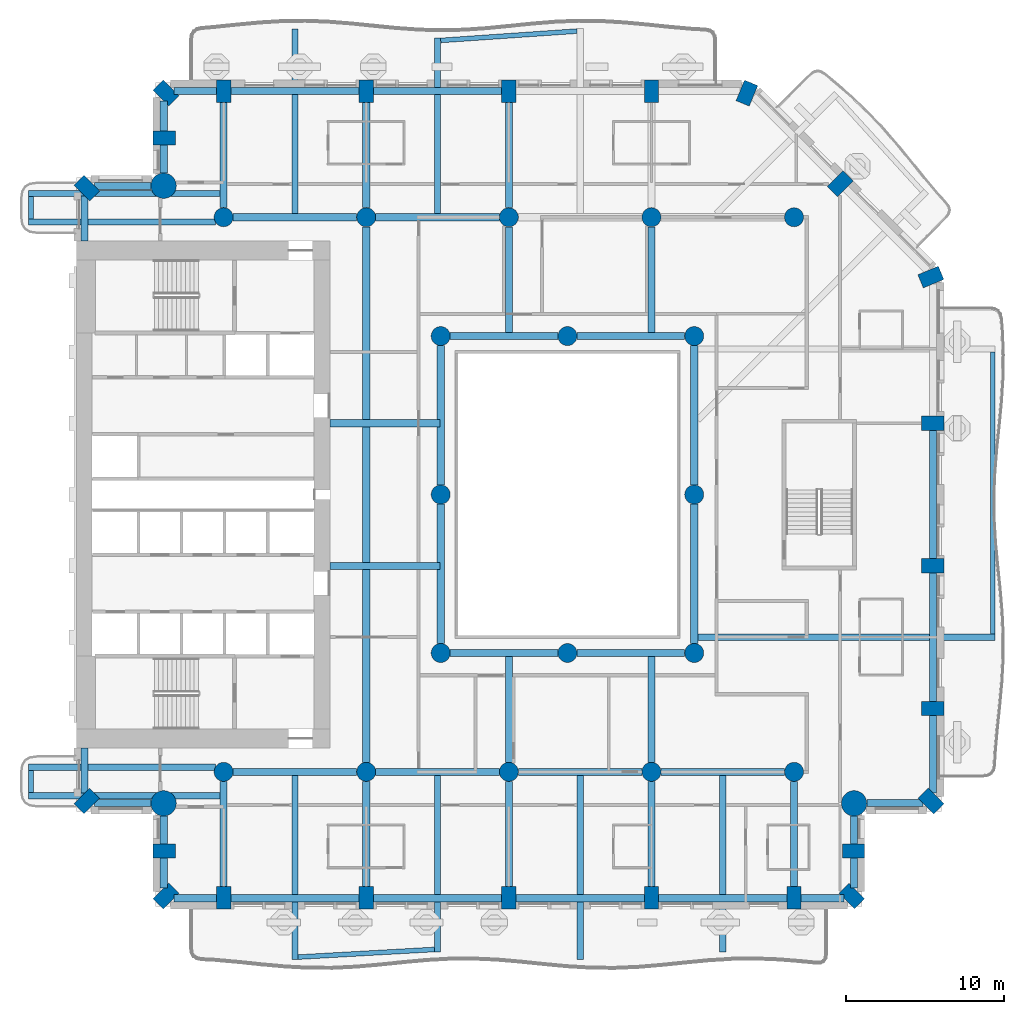
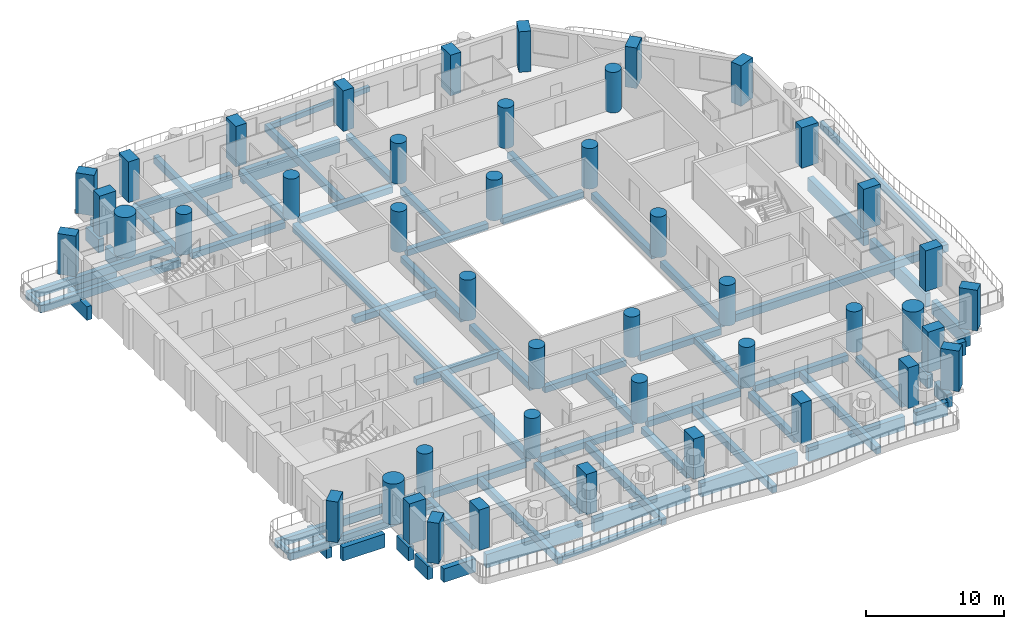
# One storey, part 1 of 19: 70 beams, 45 columns.
"""IFC4 building model written with IfcOpenShell, lengths in metres."""

from ifc_helpers import new_model, si_unit, direction, frame, origin, origin_2d, place, context, subcontext, project, spatial, rectangle, circle, extrude, material, material_profile, profile_set, type_object, element, save


model = new_model("IFC4")

# Units and contexts
model_context = context("Model", 3, precision=1e-05, world=origin(), true_north=direction((0.0, 1.0)))
body_context = subcontext(model_context, "Body", "Model", "MODEL_VIEW")
ifc_project = project(units=[si_unit("LENGTHUNIT", "METRE"), si_unit("AREAUNIT", "SQUARE_METRE"), si_unit("VOLUMEUNIT", "CUBIC_METRE"), si_unit("PLANEANGLEUNIT", "RADIAN"), si_unit("MASSUNIT", "GRAM", prefix="KILO")], contexts=[model_context])

# Site, building, storey
site_placement = place(None, origin())
site = spatial("IfcSite", under=ifc_project, at=site_placement, CompositionType="ELEMENT")
building_placement = place(site_placement, origin())
building = spatial("IfcBuilding", under=site, at=building_placement, Name="Cypress Arch Tower", CompositionType="ELEMENT")
storey_placement = place(building_placement, frame((0.0, 0.0, 66.300048828125)))
storey = spatial("IfcBuildingStorey", under=building, at=storey_placement, Name="L10", CompositionType="ELEMENT", Elevation=66.300048828125)

# Columns
ifc_material_1 = material(Name="Concrete C80/95", Category="concrete")
ifc_material_profile_1 = material_profile(ifc_material_1, rectangle(XDim=0.89990234375, YDim=1.39990234375, at=origin_2d()), Name="RC 900x1400")
ifc_profile_set_1 = profile_set([ifc_material_profile_1], Name="Concrete C80/95")
column_type_1 = type_object("IfcColumnType", Name="Column RC 900x1400 Concrete C80/95", PredefinedType="COLUMN", material=ifc_profile_set_1)
for number, where, z_axis, x_axis, name in (
    (1, (-29.3369140625, 19.3369140625, 0.0), (0.0, 0.0, 1.0), (-0.707106781187, -0.707106781187, 0.0), "Column L10 CA00"),
    (2, (-29.3369140625, -19.3369140625, 0.0), (0.0, 0.0, 1.0), (0.707106781187, -0.707106781187, 0.0), "Column L10 CA01"),
    (3, (-24.449951171875, -22.5, 0.0), (0.0, 0.0, 1.0), (0.0, -1.0, 0.0), "Column L10 CA03"),
    (4, (-24.3369140625, -25.3369140625, 0.0), (0.0, 0.0, 1.0), (0.707106781187, -0.707106781187, 0.0), "Column L10 CA04"),
    (5, (-20.699951171875, -25.449951171875, 0.0), (0.0, 0.0, 1.0), (1.0, 0.0, 0.0), "Column L10 CA05"),
    (6, (-11.699951171875, -25.449951171875, 0.0), (0.0, 0.0, 1.0), (1.0, 0.0, 0.0), "Column L10 CA06"),
    (7, (-2.699951171875, -25.449951171875, 0.0), (0.0, 0.0, 1.0), (1.0, 0.0, 0.0), "Column L10 CA07"),
    (8, (6.300048828125, -25.449951171875, 0.0), (0.0, 0.0, 1.0), (1.0, 0.0, 0.0), "Column L10 CA08"),
    (9, (15.300048828125, -25.449951171875, 0.0), (0.0, 0.0, 1.0), (1.0, 0.0, 0.0), "Column L10 CA09"),
    (10, (18.936767578125, -25.3369140625, 0.0), (0.0, 0.0, 1.0), (0.707106781187, 0.707106781187, 0.0), "Column L10 CA10"),
    (11, (19.050048828125, -22.5, 0.0), (0.0, 0.0, 1.0), (0.0, 1.0, 0.0), "Column L10 CA11"),
    (12, (23.936767578125, -19.3369140625, 0.0), (0.0, 0.0, 1.0), (0.707106781187, 0.707106781187, 0.0), "Column L10 CA13"),
    (13, (24.050048828125, -13.5, 0.0), (0.0, 0.0, 1.0), (0.0, 1.0, 0.0), "Column L10 CA14"),
    (14, (24.050048828125, -4.5, 0.0), (0.0, 0.0, 1.0), (0.0, 1.0, 0.0), "Column L10 CA15"),
    (15, (24.050048828125, 4.5, 0.0), (0.0, 0.0, 1.0), (0.0, 1.0, 0.0), "Column L10 CA16"),
    (16, (23.93115234375, 13.722900390625, 0.0), (0.0, 0.0, 1.0), (-0.382683496864, 0.923879505795, 0.0), "Column L10 CA17"),
    (17, (18.211181640625, 19.611083984375, 0.0), (0.0, 0.0, 1.0), (-0.707106781187, 0.707106781187, 0.0), "Column L10 CA18"),
    (18, (12.322998046875, 25.3310546875, 0.0), (0.0, 0.0, 1.0), (-0.923879505795, 0.382683496864, 0.0), "Column L10 CA19"),
    (19, (6.300048828125, 25.449951171875, 0.0), (0.0, 0.0, 1.0), (-1.0, 0.0, 0.0), "Column L10 CA20"),
    (20, (-2.699951171875, 25.449951171875, 0.0), (0.0, 0.0, 1.0), (-1.0, 0.0, 0.0), "Column L10 CA21"),
    (21, (-11.699951171875, 25.449951171875, 0.0), (0.0, 0.0, 1.0), (-1.0, 0.0, 0.0), "Column L10 CA22"),
    (22, (-20.699951171875, 25.449951171875, 0.0), (0.0, 0.0, 1.0), (-1.0, 0.0, 0.0), "Column L10 CA23"),
    (23, (-24.3369140625, 25.3369140625, 0.0), (0.0, 0.0, 1.0), (-0.707106781187, -0.707106781187, 0.0), "Column L10 CA24"),
    (24, (-24.449951171875, 22.5, 0.0), (0.0, 0.0, 1.0), (0.0, -1.0, 0.0), "Column L10 CA25"),
):
    element("IfcColumn", number, at=place(storey_placement, frame(where, z_axis=z_axis, x_axis=x_axis)), inside=storey, type_object=column_type_1, Name=name, PredefinedType="COLUMN", context=body_context, shape_type="SweptSolid", body=[
        extrude(rectangle(XDim=0.89990234375, YDim=1.39990234375, at=origin_2d()), origin(), (0.0, 0.0, 1.0), 3.599853515625),
    ])
ifc_material_2 = material(Name="Concrete C80/95", Category="concrete")
ifc_material_profile_2 = material_profile(ifc_material_2, circle(Radius=0.60009765625, at=origin_2d()), Name="RC D1200")
ifc_profile_set_2 = profile_set([ifc_material_profile_2], Name="Concrete C80/95")
column_type_2 = type_object("IfcColumnType", Name="Column RC D1200 Concrete C80/95", PredefinedType="COLUMN", material=ifc_profile_set_2)
for number, where, z_axis, x_axis, name in (
    (25, (-20.699951171875, -17.5, 0.0), (0.0, 0.0, 1.0), (1.0, 0.0, 0.0), "Column L10 CIC-L10-CI3S"),
    (26, (-11.699951171875, -17.5, 0.0), (0.0, 0.0, 1.0), (1.0, 0.0, 0.0), "Column L10 CIC-L10-CI4S"),
    (27, (-2.699951171875, -17.5, 0.0), (0.0, 0.0, 1.0), (1.0, 0.0, 0.0), "Column L10 CIC-L10-CI5S"),
    (28, (6.300048828125, -17.5, 0.0), (0.0, 0.0, 1.0), (1.0, 0.0, 0.0), "Column L10 CIC-L10-CI6S"),
    (29, (15.300048828125, -17.5, 0.0), (0.0, 0.0, 1.0), (1.0, 0.0, 0.0), "Column L10 CIC-L10-CI7S"),
    (30, (-20.699951171875, 17.5, 0.0), (0.0, 0.0, 1.0), (1.0, 0.0, 0.0), "Column L10 CIC-L10-CI3N"),
    (31, (-11.699951171875, 17.5, 0.0), (0.0, 0.0, 1.0), (1.0, 0.0, 0.0), "Column L10 CIC-L10-CI4N"),
    (32, (-2.699951171875, 17.5, 0.0), (0.0, 0.0, 1.0), (1.0, 0.0, 0.0), "Column L10 CIC-L10-CI5N"),
    (33, (6.300048828125, 17.5, 0.0), (0.0, 0.0, 1.0), (1.0, 0.0, 0.0), "Column L10 CIC-L10-CI6N"),
    (34, (15.300048828125, 17.5, 0.0), (0.0, 0.0, 1.0), (1.0, 0.0, 0.0), "Column L10 CIC-L10-CI7N"),
    (35, (-7.0, -10.0, 0.0), (0.0, 0.0, 1.0), (1.0, 0.0, 0.0), "Column L10 RNG-L10-G-7-10"),
    (36, (-7.0, 0.0, 0.0), (0.0, 0.0, 1.0), (1.0, 0.0, 0.0), "Column L10 RNG-L10-G-7+0"),
    (37, (-7.0, 10.0, 0.0), (0.0, 0.0, 1.0), (1.0, 0.0, 0.0), "Column L10 RNG-L10-G-7+10"),
    (38, (1.0, -10.0, 0.0), (0.0, 0.0, 1.0), (1.0, 0.0, 0.0), "Column L10 RNG-L10-G+1-10"),
    (39, (1.0, 10.0, 0.0), (0.0, 0.0, 1.0), (1.0, 0.0, 0.0), "Column L10 RNG-L10-G+1+10"),
    (40, (9.0, -10.0, 0.0), (0.0, 0.0, 1.0), (1.0, 0.0, 0.0), "Column L10 RNG-L10-G+9-10"),
    (41, (9.0, 0.0, 0.0), (0.0, 0.0, 1.0), (1.0, 0.0, 0.0), "Column L10 RNG-L10-G+9+0"),
    (42, (9.0, 10.0, 0.0), (0.0, 0.0, 1.0), (1.0, 0.0, 0.0), "Column L10 RNG-L10-G+9+10"),
):
    element("IfcColumn", number, at=place(storey_placement, frame(where, z_axis=z_axis, x_axis=x_axis)), inside=storey, type_object=column_type_2, Name=name, PredefinedType="COLUMN", context=body_context, shape_type="SweptSolid", body=[
        extrude(circle(Radius=0.60009765625, at=origin_2d()), origin(), (0.0, 0.0, 1.0), 3.599853515625),
    ])
ifc_material_3 = material(Name="Concrete C80/95", Category="concrete")
ifc_material_profile_3 = material_profile(ifc_material_3, circle(Radius=0.800048828125, at=origin_2d()), Name="RC D1600")
ifc_profile_set_3 = profile_set([ifc_material_profile_3], Name="Concrete C80/95")
column_type_3 = type_object("IfcColumnType", Name="Mega-column RC D1600 Concrete C80/95", PredefinedType="COLUMN", material=ifc_profile_set_3)
for number, where, z_axis, x_axis, name in (
    (43, (-24.48779296875, -19.48779296875, 0.0), (0.0, 0.0, 1.0), (1.0, 0.0, 0.0), "Column L10 CA02"),
    (44, (19.087890625, -19.48779296875, 0.0), (0.0, 0.0, 1.0), (1.0, 0.0, 0.0), "Column L10 CA12"),
    (45, (-24.48779296875, 19.48779296875, 0.0), (0.0, 0.0, 1.0), (1.0, 0.0, 0.0), "Column L10 CA26"),
):
    element("IfcColumn", number, at=place(storey_placement, frame(where, z_axis=z_axis, x_axis=x_axis)), inside=storey, type_object=column_type_3, Name=name, PredefinedType="COLUMN", context=body_context, shape_type="SweptSolid", body=[
        extrude(circle(Radius=0.800048828125, at=origin_2d()), origin(), (0.0, 0.0, 1.0), 3.599853515625),
    ])

# Beams
ifc_material_4 = material(Name="Concrete C50/60", Category="concrete")
ifc_material_profile_4 = material_profile(ifc_material_4, rectangle(XDim=0.300048828125, YDim=0.449951171875, at=origin_2d()), Name="RC 300x450")
ifc_profile_set_4 = profile_set([ifc_material_profile_4], Name="Concrete C50/60")
beam_type_1 = type_object("IfcBeamType", Name="Balcony edge beam RC 300x450 Concrete C50/60", PredefinedType="BEAM", material=ifc_profile_set_4)
beam_1_placement = place(storey_placement, frame((-16.0, -29.1904296875, -0.525146484375), z_axis=(0.998441457852, 0.055809096421, 0.0), x_axis=(-0.055809096421, 0.998441457852, 0.0)))
element("IfcBeam", 46, at=beam_1_placement, inside=storey, type_object=beam_type_1, Name="Balcony edge beam L10 A03", PredefinedType="BEAM", context=body_context, shape_type="SweptSolid", body=[
    extrude(rectangle(XDim=0.300048828125, YDim=0.449951171875, at=origin_2d()), origin(), (0.0, 0.0, 1.0), 8.613525390625),
])
beam_2_placement = place(storey_placement, frame((1.60009765625, 29.246337890625, -0.525146484375), z_axis=(-0.997663993213, -0.068312199842, 0.0), x_axis=(0.068312199842, -0.997663993213, 0.0)))
element("IfcBeam", 47, at=beam_2_placement, inside=storey, type_object=beam_type_1, Name="Balcony edge beam L10 A08", PredefinedType="BEAM", context=body_context, shape_type="SweptSolid", body=[
    extrude(rectangle(XDim=0.300048828125, YDim=0.449951171875, at=origin_2d()), origin(), (0.0, 0.0, 1.0), 8.6201171875),
])
ifc_material_5 = material(Name="Concrete C50/60", Category="concrete")
ifc_material_profile_5 = material_profile(ifc_material_5, rectangle(XDim=0.300048828125, YDim=0.64990234375, at=origin_2d()), Name="RC 300x650")
ifc_profile_set_5 = profile_set([ifc_material_profile_5], Name="Concrete C50/60")
beam_type_2 = type_object("IfcBeamType", Name="Balcony edge beam RC 300x650 Concrete C50/60", PredefinedType="BEAM", material=ifc_profile_set_5)
beam_3_placement = place(storey_placement, frame((27.843017578125, -8.800048828125, -0.625), z_axis=(-0.000494104992, 0.99999987793, 0.0), x_axis=(-0.99999987793, -0.000494104992, 0.0)))
element("IfcBeam", 48, at=beam_3_placement, inside=storey, type_object=beam_type_2, Name="Balcony edge beam L10 A06", PredefinedType="BEAM", context=body_context, shape_type="SweptSolid", body=[
    extrude(rectangle(XDim=0.300048828125, YDim=0.64990234375, at=origin_2d()), origin(), (0.0, 0.0, 1.0), 17.787841796875),
])
ifc_material_6 = material(Name="Concrete C50/60", Category="concrete")
ifc_material_profile_6 = material_profile(ifc_material_6, rectangle(XDim=0.300048828125, YDim=0.39990234375, at=origin_2d()), Name="RC 300x400")
ifc_profile_set_6 = profile_set([ifc_material_profile_6], Name="Concrete C50/60")
beam_type_3 = type_object("IfcBeamType", Name="Balcony stub beam RC 300x400 Concrete C50/60", PredefinedType="BEAM", material=ifc_profile_set_6)
for number, where, z_axis, x_axis, name in (
    (49, (-32.85009765625, 18.800048828125, -0.5), (0.0, -1.0, 0.0), (1.0, 0.0, 0.0), "Balcony stub beam L10 A00W0"),
    (50, (-32.85009765625, -17.39990234375, -0.5), (0.0, -1.0, 0.0), (1.0, 0.0, 0.0), "Balcony stub beam L10 A00W1"),
):
    element("IfcBeam", number, at=place(storey_placement, frame(where, z_axis=z_axis, x_axis=x_axis)), inside=storey, type_object=beam_type_3, Name=name, PredefinedType="BEAM", context=body_context, shape_type="SweptSolid", body=[
        extrude(rectangle(XDim=0.300048828125, YDim=0.39990234375, at=origin_2d()), origin(), (0.0, 0.0, 1.0), 1.400146484375),
    ])
ifc_material_7 = material(Name="Concrete C50/60", Category="concrete")
ifc_material_profile_7 = material_profile(ifc_material_7, rectangle(XDim=0.39990234375, YDim=0.64990234375, at=origin_2d()), Name="RC 400x650")
ifc_profile_set_7 = profile_set([ifc_material_profile_7], Name="Concrete C50/60")
beam_type_4 = type_object("IfcBeamType", Name="Cantilever beam RC 400x650 Concrete C50/60", PredefinedType="BEAM", material=ifc_profile_set_7)
beam_4_placement = place(storey_placement, frame((-20.925048828125, 19.0, -0.625), z_axis=(-1.0, 0.0, 0.0), x_axis=(0.0, -1.0, 0.0)))
element("IfcBeam", 51, at=beam_4_placement, inside=storey, type_object=beam_type_4, Name="Cantilever beam L10 A00 1", PredefinedType="BEAM", context=body_context, shape_type="SweptSolid", body=[
    extrude(rectangle(XDim=0.39990234375, YDim=0.64990234375, at=origin_2d()), origin(), (0.0, 0.0, 1.0), 12.074951171875),
])
for number, where, z_axis, x_axis, name in (
    (52, (-21.219482421875, 17.199951171875, -0.625), (-1.0, 0.0, 0.0), (0.0, -1.0, 0.0), "Cantilever beam L10 A00 2"),
    (53, (-21.219482421875, -17.199951171875, -0.625), (-1.0, 0.0, 0.0), (0.0, -1.0, 0.0), "Cantilever beam L10 A00 1"),
):
    element("IfcBeam", number, at=place(storey_placement, frame(where, z_axis=z_axis, x_axis=x_axis)), inside=storey, type_object=beam_type_4, Name=name, PredefinedType="BEAM", context=body_context, shape_type="SweptSolid", body=[
        extrude(rectangle(XDim=0.39990234375, YDim=0.64990234375, at=origin_2d()), origin(), (0.0, 0.0, 1.0), 11.780517578125),
    ])
beam_5_placement = place(storey_placement, frame((-20.925048828125, -19.0, -0.625), z_axis=(-1.0, 0.0, 0.0), x_axis=(0.0, -1.0, 0.0)))
element("IfcBeam", 54, at=beam_5_placement, inside=storey, type_object=beam_type_4, Name="Cantilever beam L10 A00 2", PredefinedType="BEAM", context=body_context, shape_type="SweptSolid", body=[
    extrude(rectangle(XDim=0.39990234375, YDim=0.64990234375, at=origin_2d()), origin(), (0.0, 0.0, 1.0), 12.074951171875),
])
beam_6_placement = place(storey_placement, frame((-16.199951171875, -17.72509765625, -0.625), z_axis=(0.0, -1.0, 0.0), x_axis=(1.0, 0.0, 0.0)))
element("IfcBeam", 55, at=beam_6_placement, inside=storey, type_object=beam_type_4, Name="Cantilever beam L10 A03 1", PredefinedType="BEAM", context=body_context, shape_type="SweptSolid", body=[
    extrude(rectangle(XDim=0.39990234375, YDim=0.64990234375, at=origin_2d()), origin(), (0.0, 0.0, 1.0), 11.615478515625),
])
beam_7_placement = place(storey_placement, frame((-7.199951171875, -17.72509765625, -0.625), z_axis=(0.0, -1.0, 0.0), x_axis=(1.0, 0.0, 0.0)))
element("IfcBeam", 56, at=beam_7_placement, inside=storey, type_object=beam_type_4, Name="Cantilever beam L10 A03 2", PredefinedType="BEAM", context=body_context, shape_type="SweptSolid", body=[
    extrude(rectangle(XDim=0.39990234375, YDim=0.64990234375, at=origin_2d()), origin(), (0.0, 0.0, 1.0), 11.134521484375),
])
beam_8_placement = place(storey_placement, frame((1.800048828125, -17.72509765625, -0.625), z_axis=(0.0, -1.0, 0.0), x_axis=(1.0, 0.0, 0.0)))
element("IfcBeam", 57, at=beam_8_placement, inside=storey, type_object=beam_type_4, Name="Cantilever beam L10 A03 3", PredefinedType="BEAM", context=body_context, shape_type="SweptSolid", body=[
    extrude(rectangle(XDim=0.39990234375, YDim=0.64990234375, at=origin_2d()), origin(), (0.0, 0.0, 1.0), 11.615478515625),
])
beam_9_placement = place(storey_placement, frame((10.800048828125, -17.72509765625, -0.625), z_axis=(0.0, -1.0, 0.0), x_axis=(1.0, 0.0, 0.0)))
element("IfcBeam", 58, at=beam_9_placement, inside=storey, type_object=beam_type_4, Name="Cantilever beam L10 A03 4", PredefinedType="BEAM", context=body_context, shape_type="SweptSolid", body=[
    extrude(rectangle(XDim=0.39990234375, YDim=0.64990234375, at=origin_2d()), origin(), (0.0, 0.0, 1.0), 11.134033203125),
])
beam_10_placement = place(storey_placement, frame((9.22509765625, -9.0, -0.625), z_axis=(1.0, 0.0, 0.0), x_axis=(0.0, 1.0, 0.0)))
element("IfcBeam", 59, at=beam_10_placement, inside=storey, type_object=beam_type_4, Name="Cantilever beam L10 A06 1", PredefinedType="BEAM", context=body_context, shape_type="SweptSolid", body=[
    extrude(rectangle(XDim=0.39990234375, YDim=0.64990234375, at=origin_2d()), origin(), (0.0, 0.0, 1.0), 18.767822265625),
])
beam_11_placement = place(storey_placement, frame((-7.199951171875, 17.72509765625, -0.625), z_axis=(0.0, 1.0, 0.0), x_axis=(-1.0, 0.0, 0.0)))
element("IfcBeam", 60, at=beam_11_placement, inside=storey, type_object=beam_type_4, Name="Cantilever beam L10 A08 2", PredefinedType="BEAM", context=body_context, shape_type="SweptSolid", body=[
    extrude(rectangle(XDim=0.39990234375, YDim=0.64990234375, at=origin_2d()), origin(), (0.0, 0.0, 1.0), 11.082275390625),
])
beam_12_placement = place(storey_placement, frame((-16.199951171875, 17.72509765625, -0.625), z_axis=(0.0, 1.0, 0.0), x_axis=(-1.0, 0.0, 0.0)))
element("IfcBeam", 61, at=beam_12_placement, inside=storey, type_object=beam_type_4, Name="Cantilever beam L10 A08 3", PredefinedType="BEAM", context=body_context, shape_type="SweptSolid", body=[
    extrude(rectangle(XDim=0.39990234375, YDim=0.64990234375, at=origin_2d()), origin(), (0.0, 0.0, 1.0), 11.6640625),
])
ifc_material_8 = material(Name="Concrete C50/60", Category="concrete")
ifc_material_profile_8 = material_profile(ifc_material_8, rectangle(XDim=0.449951171875, YDim=0.550048828125, at=origin_2d()), Name="RC 450x550")
ifc_profile_set_8 = profile_set([ifc_material_profile_8], Name="Concrete C50/60")
beam_type_5 = type_object("IfcBeamType", Name="Floor beam RC 450x550 Concrete C50/60", PredefinedType="BEAM", material=ifc_profile_set_8)
for number, where, z_axis, x_axis, name in (
    (62, (-7.0, -9.39990234375, -0.574951171875), (0.0, 1.0, 0.0), (-1.0, 0.0, 0.0), "Floor beam L10 RB001"),
    (63, (-7.0, 0.60009765625, -0.574951171875), (0.0, 1.0, 0.0), (-1.0, 0.0, 0.0), "Floor beam L10 RB002"),
    (64, (9.0, -9.39990234375, -0.574951171875), (0.0, 1.0, 0.0), (-1.0, 0.0, 0.0), "Floor beam L10 RB003"),
    (65, (9.0, 0.60009765625, -0.574951171875), (0.0, 1.0, 0.0), (-1.0, 0.0, 0.0), "Floor beam L10 RB004"),
):
    element("IfcBeam", number, at=place(storey_placement, frame(where, z_axis=z_axis, x_axis=x_axis)), inside=storey, type_object=beam_type_5, Name=name, PredefinedType="BEAM", context=body_context, shape_type="SweptSolid", body=[
        extrude(rectangle(XDim=0.449951171875, YDim=0.550048828125, at=origin_2d()), origin(), (0.0, 0.0, 1.0), 8.7998046875),
    ])
for number, where, z_axis, x_axis, name in (
    (66, (-6.39990234375, -10.0, -0.574951171875), (1.0, 0.0, 0.0), (0.0, 1.0, 0.0), "Floor beam L10 RB005"),
    (67, (1.60009765625, -10.0, -0.574951171875), (1.0, 0.0, 0.0), (0.0, 1.0, 0.0), "Floor beam L10 RB006"),
    (68, (-6.39990234375, 10.0, -0.574951171875), (1.0, 0.0, 0.0), (0.0, 1.0, 0.0), "Floor beam L10 RB007"),
    (69, (1.60009765625, 10.0, -0.574951171875), (1.0, 0.0, 0.0), (0.0, 1.0, 0.0), "Floor beam L10 RB008"),
):
    element("IfcBeam", number, at=place(storey_placement, frame(where, z_axis=z_axis, x_axis=x_axis)), inside=storey, type_object=beam_type_5, Name=name, PredefinedType="BEAM", context=body_context, shape_type="SweptSolid", body=[
        extrude(rectangle(XDim=0.449951171875, YDim=0.550048828125, at=origin_2d()), origin(), (0.0, 0.0, 1.0), 6.7998046875),
    ])
for number, where, z_axis, x_axis, name in (
    (70, (-20.10009765625, -17.5, -0.574951171875), (1.0, 0.0, 0.0), (0.0, 1.0, 0.0), "Floor beam L10 FB009"),
    (71, (-11.10009765625, -17.5, -0.574951171875), (1.0, 0.0, 0.0), (0.0, 1.0, 0.0), "Floor beam L10 FB010"),
    (72, (-2.10009765625, -17.5, -0.574951171875), (1.0, 0.0, 0.0), (0.0, 1.0, 0.0), "Floor beam L10 FB011"),
    (73, (6.89990234375, -17.5, -0.574951171875), (1.0, 0.0, 0.0), (0.0, 1.0, 0.0), "Floor beam L10 FB012"),
):
    element("IfcBeam", number, at=place(storey_placement, frame(where, z_axis=z_axis, x_axis=x_axis)), inside=storey, type_object=beam_type_5, Name=name, PredefinedType="BEAM", context=body_context, shape_type="SweptSolid", body=[
        extrude(rectangle(XDim=0.449951171875, YDim=0.550048828125, at=origin_2d()), origin(), (0.0, 0.0, 1.0), 7.800048828125),
    ])
for number, where, z_axis, x_axis, name in (
    (74, (-14.0, -4.5, -0.574951171875), (1.0, 0.0, 0.0), (0.0, 1.0, 0.0), "Floor beam L10 FB013"),
    (75, (-14.0, 4.5, -0.574951171875), (1.0, 0.0, 0.0), (0.0, 1.0, 0.0), "Floor beam L10 FB014"),
):
    element("IfcBeam", number, at=place(storey_placement, frame(where, z_axis=z_axis, x_axis=x_axis)), inside=storey, type_object=beam_type_5, Name=name, PredefinedType="BEAM", context=body_context, shape_type="SweptSolid", body=[
        extrude(rectangle(XDim=0.449951171875, YDim=0.550048828125, at=origin_2d()), origin(), (0.0, 0.0, 1.0), 6.949951171875),
    ])
for number, where, z_axis, x_axis, name in (
    (76, (-20.10009765625, 17.5, -0.574951171875), (1.0, 0.0, 0.0), (0.0, 1.0, 0.0), "Floor beam L10 FB015"),
    (77, (-11.10009765625, 17.5, -0.574951171875), (1.0, 0.0, 0.0), (0.0, 1.0, 0.0), "Floor beam L10 FB016"),
):
    element("IfcBeam", number, at=place(storey_placement, frame(where, z_axis=z_axis, x_axis=x_axis)), inside=storey, type_object=beam_type_5, Name=name, PredefinedType="BEAM", context=body_context, shape_type="SweptSolid", body=[
        extrude(rectangle(XDim=0.449951171875, YDim=0.550048828125, at=origin_2d()), origin(), (0.0, 0.0, 1.0), 7.800048828125),
    ])
for number, where, z_axis, x_axis, name in (
    (78, (-20.699951171875, -24.75, -0.574951171875), (0.0, 1.0, 0.0), (-1.0, 0.0, 0.0), "Floor beam L10 FB019"),
    (79, (-20.699951171875, 18.10009765625, -0.574951171875), (0.0, 1.0, 0.0), (-1.0, 0.0, 0.0), "Floor beam L10 FB020"),
    (80, (-11.699951171875, -24.75, -0.574951171875), (0.0, 1.0, 0.0), (-1.0, 0.0, 0.0), "Floor beam L10 FB021"),
):
    element("IfcBeam", number, at=place(storey_placement, frame(where, z_axis=z_axis, x_axis=x_axis)), inside=storey, type_object=beam_type_5, Name=name, PredefinedType="BEAM", context=body_context, shape_type="SweptSolid", body=[
        extrude(rectangle(XDim=0.449951171875, YDim=0.550048828125, at=origin_2d()), origin(), (0.0, 0.0, 1.0), 6.64990234375),
    ])
beam_13_placement = place(storey_placement, frame((-11.699951171875, -4.27490234375, -0.574951171875), z_axis=(0.0, 1.0, 0.0), x_axis=(-1.0, 0.0, 0.0)))
element("IfcBeam", 81, at=beam_13_placement, inside=storey, type_object=beam_type_5, Name="Floor beam L10 FB023", PredefinedType="BEAM", context=body_context, shape_type="SweptSolid", body=[
    extrude(rectangle(XDim=0.449951171875, YDim=0.550048828125, at=origin_2d()), origin(), (0.0, 0.0, 1.0), 8.5498046875),
])
for number, where, z_axis, x_axis, name in (
    (82, (-11.699951171875, 18.10009765625, -0.574951171875), (0.0, 1.0, 0.0), (-1.0, 0.0, 0.0), "Floor beam L10 FB025"),
    (83, (-2.699951171875, -24.75, -0.574951171875), (0.0, 1.0, 0.0), (-1.0, 0.0, 0.0), "Floor beam L10 FB026"),
):
    element("IfcBeam", number, at=place(storey_placement, frame(where, z_axis=z_axis, x_axis=x_axis)), inside=storey, type_object=beam_type_5, Name=name, PredefinedType="BEAM", context=body_context, shape_type="SweptSolid", body=[
        extrude(rectangle(XDim=0.449951171875, YDim=0.550048828125, at=origin_2d()), origin(), (0.0, 0.0, 1.0), 6.64990234375),
    ])
for number, where, z_axis, x_axis, name in (
    (84, (-2.699951171875, -16.89990234375, -0.574951171875), (0.0, 1.0, 0.0), (-1.0, 0.0, 0.0), "Floor beam L10 FB027"),
    (85, (-2.699951171875, 10.22509765625, -0.574951171875), (0.0, 1.0, 0.0), (-1.0, 0.0, 0.0), "Floor beam L10 FB028"),
):
    element("IfcBeam", number, at=place(storey_placement, frame(where, z_axis=z_axis, x_axis=x_axis)), inside=storey, type_object=beam_type_5, Name=name, PredefinedType="BEAM", context=body_context, shape_type="SweptSolid", body=[
        extrude(rectangle(XDim=0.449951171875, YDim=0.550048828125, at=origin_2d()), origin(), (0.0, 0.0, 1.0), 6.6748046875),
    ])
for number, where, z_axis, x_axis, name in (
    (86, (-2.699951171875, 18.10009765625, -0.574951171875), (0.0, 1.0, 0.0), (-1.0, 0.0, 0.0), "Floor beam L10 FB029"),
    (87, (6.300048828125, -24.75, -0.574951171875), (0.0, 1.0, 0.0), (-1.0, 0.0, 0.0), "Floor beam L10 FB030"),
):
    element("IfcBeam", number, at=place(storey_placement, frame(where, z_axis=z_axis, x_axis=x_axis)), inside=storey, type_object=beam_type_5, Name=name, PredefinedType="BEAM", context=body_context, shape_type="SweptSolid", body=[
        extrude(rectangle(XDim=0.449951171875, YDim=0.550048828125, at=origin_2d()), origin(), (0.0, 0.0, 1.0), 6.64990234375),
    ])
for number, where, z_axis, x_axis, name in (
    (88, (6.300048828125, -16.89990234375, -0.574951171875), (0.0, 1.0, 0.0), (-1.0, 0.0, 0.0), "Floor beam L10 FB031"),
    (89, (6.300048828125, 10.22509765625, -0.574951171875), (0.0, 1.0, 0.0), (-1.0, 0.0, 0.0), "Floor beam L10 FB032"),
):
    element("IfcBeam", number, at=place(storey_placement, frame(where, z_axis=z_axis, x_axis=x_axis)), inside=storey, type_object=beam_type_5, Name=name, PredefinedType="BEAM", context=body_context, shape_type="SweptSolid", body=[
        extrude(rectangle(XDim=0.449951171875, YDim=0.550048828125, at=origin_2d()), origin(), (0.0, 0.0, 1.0), 6.6748046875),
    ])
beam_14_placement = place(storey_placement, frame((15.300048828125, -24.75, -0.574951171875), z_axis=(0.0, 1.0, 0.0), x_axis=(-1.0, 0.0, 0.0)))
element("IfcBeam", 90, at=beam_14_placement, inside=storey, type_object=beam_type_5, Name="Floor beam L10 FB034", PredefinedType="BEAM", context=body_context, shape_type="SweptSolid", body=[
    extrude(rectangle(XDim=0.449951171875, YDim=0.550048828125, at=origin_2d()), origin(), (0.0, 0.0, 1.0), 6.64990234375),
])
ifc_material_9 = material(Name="Concrete C50/60", Category="concrete")
ifc_material_profile_9 = material_profile(ifc_material_9, rectangle(XDim=0.5, YDim=0.699951171875, at=origin_2d()), Name="RC 500x700")
ifc_profile_set_9 = profile_set([ifc_material_profile_9], Name="Concrete C50/60")
beam_type_6 = type_object("IfcBeamType", Name="Floor beam RC 500x700 Concrete C50/60", PredefinedType="BEAM", material=ifc_profile_set_9)
for number, where, z_axis, x_axis, name in (
    (91, (-11.699951171875, -16.89990234375, -0.650146484375), (0.0, 1.0, 0.0), (-1.0, 0.0, 0.0), "Floor beam L10 FB022"),
    (92, (-11.699951171875, 4.72509765625, -0.650146484375), (0.0, 1.0, 0.0), (-1.0, 0.0, 0.0), "Floor beam L10 FB024"),
):
    element("IfcBeam", number, at=place(storey_placement, frame(where, z_axis=z_axis, x_axis=x_axis)), inside=storey, type_object=beam_type_6, Name=name, PredefinedType="BEAM", context=body_context, shape_type="SweptSolid", body=[
        extrude(rectangle(XDim=0.5, YDim=0.699951171875, at=origin_2d()), origin(), (0.0, 0.0, 1.0), 12.1748046875),
    ])
ifc_material_10 = material(Name="Concrete C50/60", Category="concrete")
ifc_material_profile_10 = material_profile(ifc_material_10, rectangle(XDim=0.449951171875, YDim=1.199951171875, at=origin_2d()), Name="RC 450x1200")
ifc_profile_set_10 = profile_set([ifc_material_profile_10], Name="Concrete C50/60")
beam_type_7 = type_object("IfcBeamType", Name="Spandrel beam RC 450x1200 Concrete C50/60", PredefinedType="SPANDREL", material=ifc_profile_set_10)
for number, where, z_axis, x_axis, name in (
    (93, (-29.47509765625, 18.838623046875, -1.550048828125), (0.0, -1.0, 0.0), (1.0, 0.0, 0.0), "Spandrel beam L10 BA00-0"),
    (94, (-29.47509765625, -16.0, -1.550048828125), (0.0, -1.0, 0.0), (1.0, 0.0, 0.0), "Spandrel beam L10 BA00-0"),
):
    element("IfcBeam", number, at=place(storey_placement, frame(where, z_axis=z_axis, x_axis=x_axis)), inside=storey, type_object=beam_type_7, Name=name, PredefinedType="SPANDREL", context=body_context, shape_type="SweptSolid", body=[
        extrude(rectangle(XDim=0.449951171875, YDim=1.199951171875, at=origin_2d()), origin(), (0.0, 0.0, 1.0), 2.838623046875),
    ])
beam_15_placement = place(storey_placement, frame((-28.838623046875, -19.47509765625, -1.550048828125), z_axis=(1.0, 0.0, 0.0), x_axis=(0.0, 1.0, 0.0)))
element("IfcBeam", 95, at=beam_15_placement, inside=storey, type_object=beam_type_7, Name="Spandrel beam L10 BA01-0", PredefinedType="SPANDREL", context=body_context, shape_type="SweptSolid", body=[
    extrude(rectangle(XDim=0.449951171875, YDim=1.199951171875, at=origin_2d()), origin(), (0.0, 0.0, 1.0), 3.551025390625),
])
beam_16_placement = place(storey_placement, frame((-24.47509765625, -20.28759765625, -1.550048828125), z_axis=(0.0, -1.0, 0.0), x_axis=(1.0, 0.0, 0.0)))
element("IfcBeam", 96, at=beam_16_placement, inside=storey, type_object=beam_type_7, Name="Spandrel beam L10 BA02-0", PredefinedType="SPANDREL", context=body_context, shape_type="SweptSolid", body=[
    extrude(rectangle(XDim=0.449951171875, YDim=1.199951171875, at=origin_2d()), origin(), (0.0, 0.0, 1.0), 1.762451171875),
])
beam_17_placement = place(storey_placement, frame((-24.47509765625, -22.949951171875, -1.550048828125), z_axis=(0.0, -1.0, 0.0), x_axis=(1.0, 0.0, 0.0)))
element("IfcBeam", 97, at=beam_17_placement, inside=storey, type_object=beam_type_7, Name="Spandrel beam L10 BA02-1", PredefinedType="SPANDREL", context=body_context, shape_type="SweptSolid", body=[
    extrude(rectangle(XDim=0.449951171875, YDim=1.199951171875, at=origin_2d()), origin(), (0.0, 0.0, 1.0), 1.888671875),
])
beam_18_placement = place(storey_placement, frame((-23.838623046875, -25.47509765625, -1.550048828125), z_axis=(1.0, 0.0, 0.0), x_axis=(0.0, 1.0, 0.0)))
element("IfcBeam", 98, at=beam_18_placement, inside=storey, type_object=beam_type_7, Name="Spandrel beam L10 BA03-0", PredefinedType="SPANDREL", context=body_context, shape_type="SweptSolid", body=[
    extrude(rectangle(XDim=0.449951171875, YDim=1.199951171875, at=origin_2d()), origin(), (0.0, 0.0, 1.0), 2.688720703125),
])
for number, where, z_axis, x_axis, name in (
    (99, (-20.25, -25.47509765625, -1.550048828125), (1.0, 0.0, 0.0), (0.0, 1.0, 0.0), "Spandrel beam L10 BA03-1"),
    (100, (-11.25, -25.47509765625, -1.550048828125), (1.0, 0.0, 0.0), (0.0, 1.0, 0.0), "Spandrel beam L10 BA03-2"),
    (101, (-2.25, -25.47509765625, -1.550048828125), (1.0, 0.0, 0.0), (0.0, 1.0, 0.0), "Spandrel beam L10 BA03-3"),
    (102, (6.75, -25.47509765625, -1.550048828125), (1.0, 0.0, 0.0), (0.0, 1.0, 0.0), "Spandrel beam L10 BA03-4"),
):
    element("IfcBeam", number, at=place(storey_placement, frame(where, z_axis=z_axis, x_axis=x_axis)), inside=storey, type_object=beam_type_7, Name=name, PredefinedType="SPANDREL", context=body_context, shape_type="SweptSolid", body=[
        extrude(rectangle(XDim=0.449951171875, YDim=1.199951171875, at=origin_2d()), origin(), (0.0, 0.0, 1.0), 8.10009765625),
    ])
beam_19_placement = place(storey_placement, frame((15.75, -25.47509765625, -1.550048828125), z_axis=(1.0, 0.0, 0.0), x_axis=(0.0, 1.0, 0.0)))
element("IfcBeam", 103, at=beam_19_placement, inside=storey, type_object=beam_type_7, Name="Spandrel beam L10 BA03-5", PredefinedType="SPANDREL", context=body_context, shape_type="SweptSolid", body=[
    extrude(rectangle(XDim=0.449951171875, YDim=1.199951171875, at=origin_2d()), origin(), (0.0, 0.0, 1.0), 2.688720703125),
])
beam_20_placement = place(storey_placement, frame((19.074951171875, -24.838623046875, -1.550048828125), z_axis=(0.0, 1.0, 0.0), x_axis=(-1.0, 0.0, 0.0)))
element("IfcBeam", 104, at=beam_20_placement, inside=storey, type_object=beam_type_7, Name="Spandrel beam L10 BA04-0", PredefinedType="SPANDREL", context=body_context, shape_type="SweptSolid", body=[
    extrude(rectangle(XDim=0.449951171875, YDim=1.199951171875, at=origin_2d()), origin(), (0.0, 0.0, 1.0), 1.888671875),
])
beam_21_placement = place(storey_placement, frame((19.074951171875, -22.050048828125, -1.550048828125), z_axis=(0.0, 1.0, 0.0), x_axis=(-1.0, 0.0, 0.0)))
element("IfcBeam", 105, at=beam_21_placement, inside=storey, type_object=beam_type_7, Name="Spandrel beam L10 BA04-1", PredefinedType="SPANDREL", context=body_context, shape_type="SweptSolid", body=[
    extrude(rectangle(XDim=0.449951171875, YDim=1.199951171875, at=origin_2d()), origin(), (0.0, 0.0, 1.0), 1.762451171875),
])
beam_22_placement = place(storey_placement, frame((19.887451171875, -19.47509765625, -1.550048828125), z_axis=(1.0, 0.0, 0.0), x_axis=(0.0, 1.0, 0.0)))
element("IfcBeam", 106, at=beam_22_placement, inside=storey, type_object=beam_type_7, Name="Spandrel beam L10 BA05-0", PredefinedType="SPANDREL", context=body_context, shape_type="SweptSolid", body=[
    extrude(rectangle(XDim=0.449951171875, YDim=1.199951171875, at=origin_2d()), origin(), (0.0, 0.0, 1.0), 3.55126953125),
])
beam_23_placement = place(storey_placement, frame((24.074951171875, -18.838623046875, -1.550048828125), z_axis=(0.0, 1.0, 0.0), x_axis=(-1.0, 0.0, 0.0)))
element("IfcBeam", 107, at=beam_23_placement, inside=storey, type_object=beam_type_7, Name="Spandrel beam L10 BA06-0", PredefinedType="SPANDREL", context=body_context, shape_type="SweptSolid", body=[
    extrude(rectangle(XDim=0.449951171875, YDim=1.199951171875, at=origin_2d()), origin(), (0.0, 0.0, 1.0), 4.888671875),
])
for number, where, z_axis, x_axis, name in (
    (108, (24.074951171875, -13.050048828125, -1.550048828125), (0.0, 1.0, 0.0), (-1.0, 0.0, 0.0), "Spandrel beam L10 BA06-1"),
    (109, (24.074951171875, -4.050048828125, -1.550048828125), (0.0, 1.0, 0.0), (-1.0, 0.0, 0.0), "Spandrel beam L10 BA06-2"),
    (110, (-3.14990234375, 25.47509765625, -1.550048828125), (-1.0, 0.0, 0.0), (0.0, -1.0, 0.0), "Spandrel beam L10 BA08-2"),
    (111, (-12.14990234375, 25.47509765625, -1.550048828125), (-1.0, 0.0, 0.0), (0.0, -1.0, 0.0), "Spandrel beam L10 BA08-3"),
):
    element("IfcBeam", number, at=place(storey_placement, frame(where, z_axis=z_axis, x_axis=x_axis)), inside=storey, type_object=beam_type_7, Name=name, PredefinedType="SPANDREL", context=body_context, shape_type="SweptSolid", body=[
        extrude(rectangle(XDim=0.449951171875, YDim=1.199951171875, at=origin_2d()), origin(), (0.0, 0.0, 1.0), 8.10009765625),
    ])
beam_24_placement = place(storey_placement, frame((-21.14990234375, 25.47509765625, -1.550048828125), z_axis=(-1.0, 0.0, 0.0), x_axis=(0.0, -1.0, 0.0)))
element("IfcBeam", 112, at=beam_24_placement, inside=storey, type_object=beam_type_7, Name="Spandrel beam L10 BA08-4", PredefinedType="SPANDREL", context=body_context, shape_type="SweptSolid", body=[
    extrude(rectangle(XDim=0.449951171875, YDim=1.199951171875, at=origin_2d()), origin(), (0.0, 0.0, 1.0), 2.688720703125),
])
beam_25_placement = place(storey_placement, frame((-24.47509765625, 24.838623046875, -1.550048828125), z_axis=(0.0, -1.0, 0.0), x_axis=(1.0, 0.0, 0.0)))
element("IfcBeam", 113, at=beam_25_placement, inside=storey, type_object=beam_type_7, Name="Spandrel beam L10 BA09-0", PredefinedType="SPANDREL", context=body_context, shape_type="SweptSolid", body=[
    extrude(rectangle(XDim=0.449951171875, YDim=1.199951171875, at=origin_2d()), origin(), (0.0, 0.0, 1.0), 1.888671875),
])
beam_26_placement = place(storey_placement, frame((-24.47509765625, 22.050048828125, -1.550048828125), z_axis=(0.0, -1.0, 0.0), x_axis=(1.0, 0.0, 0.0)))
element("IfcBeam", 114, at=beam_26_placement, inside=storey, type_object=beam_type_7, Name="Spandrel beam L10 BA09-1", PredefinedType="SPANDREL", context=body_context, shape_type="SweptSolid", body=[
    extrude(rectangle(XDim=0.449951171875, YDim=1.199951171875, at=origin_2d()), origin(), (0.0, 0.0, 1.0), 1.762451171875),
])
beam_27_placement = place(storey_placement, frame((-25.28759765625, 19.47509765625, -1.550048828125), z_axis=(-1.0, 0.0, 0.0), x_axis=(0.0, -1.0, 0.0)))
element("IfcBeam", 115, at=beam_27_placement, inside=storey, type_object=beam_type_7, Name="Spandrel beam L10 BA10-0", PredefinedType="SPANDREL", context=body_context, shape_type="SweptSolid", body=[
    extrude(rectangle(XDim=0.449951171875, YDim=1.199951171875, at=origin_2d()), origin(), (0.0, 0.0, 1.0), 3.551025390625),
])

save(model, "model.ifc")
